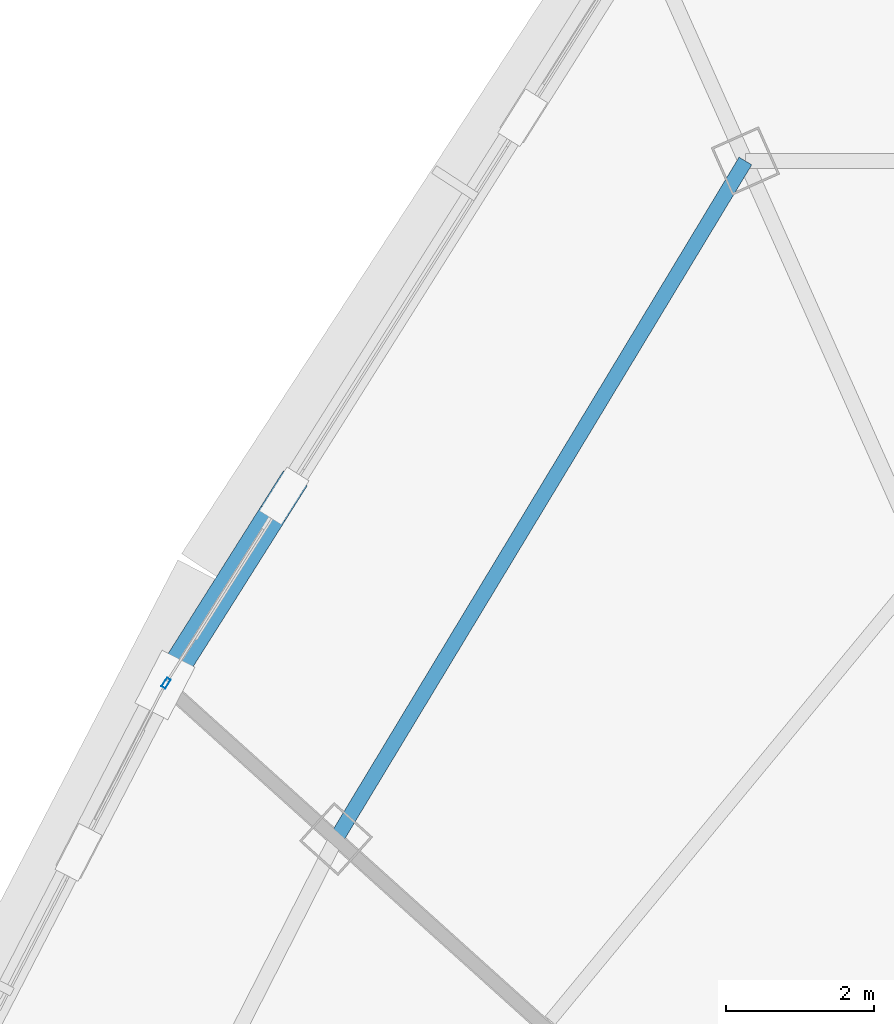
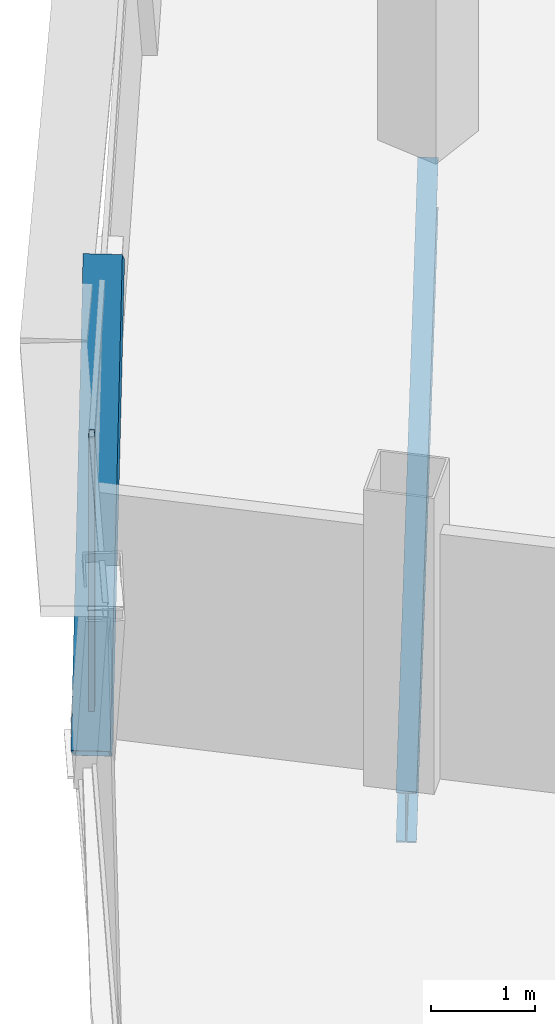
# One storey, part 9 of 28: 2 members, 1 beam, 1 element without a shape of its own.
"""IFC4 building model written with IfcOpenShell, lengths in metres."""

from ifc_helpers import new_model, si_unit, direction, frame, origin, origin_2d, place, context, subcontext, project, spatial, hollow_rectangle, i_section, extrude, source, transform, mapped, material, layer, layer_set, material_profile, profile_set, type_object, element, aggregate, save


model = new_model("IFC4")

# Units and contexts
model_context = context("Model", 3, precision=1e-05, world=origin(), true_north=direction((0.0, 1.0)))
body_context = subcontext(model_context, "Body", "Model", "MODEL_VIEW")
ifc_project = project(units=[si_unit("LENGTHUNIT", "METRE"), si_unit("AREAUNIT", "SQUARE_METRE"), si_unit("VOLUMEUNIT", "CUBIC_METRE"), si_unit("PLANEANGLEUNIT", "RADIAN"), si_unit("MASSUNIT", "GRAM", prefix="KILO"), si_unit("THERMODYNAMICTEMPERATUREUNIT", "KELVIN"), si_unit("POWERUNIT", "WATT")], contexts=[model_context])

# Site, building, storey
site_placement = place(None, origin())
site = spatial("IfcSite", under=ifc_project, at=site_placement, CompositionType="ELEMENT")
building_placement = place(site_placement, origin())
building = spatial("IfcBuilding", under=site, at=building_placement, Name="Yunzhuo Pagoda Commons", CompositionType="ELEMENT")
storey_placement = place(building_placement, frame((0.0, 0.0, 336.760009765625)))
storey = spatial("IfcBuildingStorey", under=building, at=storey_placement, Name="L84", CompositionType="ELEMENT", Elevation=336.760009765625)

# Beam
ifc_material_1 = material(Name="Structural steel Q355B", Category="steel")
ifc_material_profile_1 = material_profile(ifc_material_1, i_section(OverallWidth=0.199951171875, OverallDepth=0.60009765625, WebThickness=0.010986328125, FlangeThickness=0.01708984375, at=origin_2d()), Name="Structural steel Q355B")
ifc_profile_set_1 = profile_set([ifc_material_profile_1], Name="Structural steel Q355B")
beam_type = type_object("IfcBeamType", Name="B-RG3 Beam HN 600x200x11x17", PredefinedType="BEAM", material=ifc_profile_set_1)
shared_shape_1 = source(origin(), body_context, "Body", "SweptSolid", [
    extrude(i_section(OverallWidth=0.199951171875, OverallDepth=0.60009765625, WebThickness=0.010986328125, FlangeThickness=0.01708984375, at=origin_2d()), origin(), (0.0, 0.0, 1.0), 10.691162109375),
])
beam_placement = place(storey_placement, frame((37.501220703125, 57.281005859375, -0.56005859375), z_axis=(-0.516864678433, -0.856067114301, 0.0), x_axis=(0.856067114301, -0.516864678433, 0.0)))
element("IfcBeam", 1, at=beam_placement, inside=storey, type_object=beam_type, Name="L84 column-ring beam 9", PredefinedType="BEAM", context=body_context, shape_type="MappedRepresentation", body=[
    mapped(shared_shape_1, transform((0.0, 0.0, 0.0), scale=1.0)),
])

# Member
ifc_material_profile_2 = material_profile(ifc_material_1, hollow_rectangle(XDim=0.3798828125, YDim=0.719970703125, WallThickness=0.02001953125, at=origin_2d()), Name="Structural steel Q355B")
ifc_profile_set_2 = profile_set([ifc_material_profile_2], Name="Structural steel Q355B")
member_type_1 = type_object("IfcMemberType", Name="M-DL3 Brace BOX 720x380x20", PredefinedType="BRACE", material=ifc_profile_set_2)
shared_shape_2 = source(origin(), body_context, "Body", "SweptSolid", [
    extrude(hollow_rectangle(XDim=0.3798828125, YDim=0.719970703125, WallThickness=0.02001953125, at=origin_2d()), origin(), (0.0, 0.0, 1.0), 4.813232421875),
])
member_1_placement = place(storey_placement, frame((29.666015625, 50.2080078125, -0.260009765625), z_axis=(0.334360454238, 0.530300143971, 0.779092320554), x_axis=(-0.8458962423, 0.533347492037, 0.0)))
element("IfcMember", 2, at=member_1_placement, inside=storey, type_object=member_type_1, Name="L84 facade diamond brace F3.1R", PredefinedType="BRACE", context=body_context, shape_type="MappedRepresentation", body=[
    mapped(shared_shape_2, transform((0.0, 0.0, 0.0), scale=1.0)),
])

# Curtain wall, member
ifc_material_2 = material(Name="Anodized aluminium 6063-T6", Category="aluminium")
ifc_layer = layer(ifc_material_2, 0.139892578125)
ifc_layer_set = layer_set([ifc_layer], Name="Anodized aluminium 6063-T6")
curtain_wall_type = type_object("IfcCurtainWallType", Name="CW-HI High-Zone Ribbon Curtain Wall", PredefinedType="NOTDEFINED", material=ifc_layer_set)
curtain_wall_placement = place(storey_placement, origin())
curtain_wall = element("IfcCurtainWall", 3, at=curtain_wall_placement, inside=storey, type_object=curtain_wall_type, Name="L84 curtain wall CW-L84-F3B2", PredefinedType="NOTDEFINED")
ifc_material_profile_3 = material_profile(ifc_material_2, hollow_rectangle(XDim=0.06005859375, YDim=0.139892578125, WallThickness=0.00341796875, at=origin_2d()), Name="Anodized aluminium 6063-T6")
ifc_profile_set_3 = profile_set([ifc_material_profile_3], Name="Anodized aluminium 6063-T6")
member_type_2 = type_object("IfcMemberType", Name="CW-HI-M Mullion RHS 140x60x3.5", PredefinedType="MULLION", material=ifc_profile_set_3)
shared_shape_3 = source(origin(), body_context, "Body", "SweptSolid", [
    extrude(hollow_rectangle(XDim=0.06005859375, YDim=0.139892578125, WallThickness=0.00341796875, at=origin_2d()), origin(), (0.0, 0.0, 1.0), 3.489990234375),
])
member_2_placement = place(storey_placement, frame((29.681884765625, 50.2333984375, 0.0), z_axis=(0.0, 0.0, 1.0), x_axis=(0.845817518552, -0.533472328532, 0.0)))
member_2 = element("IfcMember", 4, at=member_2_placement, type_object=member_type_2, Name="CW mullion 2", PredefinedType="MULLION", context=body_context, shape_type="MappedRepresentation", body=[
    mapped(shared_shape_3, transform((0.0, 0.0, 0.0), scale=1.0)),
])
aggregate(curtain_wall, [member_2])

save(model, "model.ifc")
